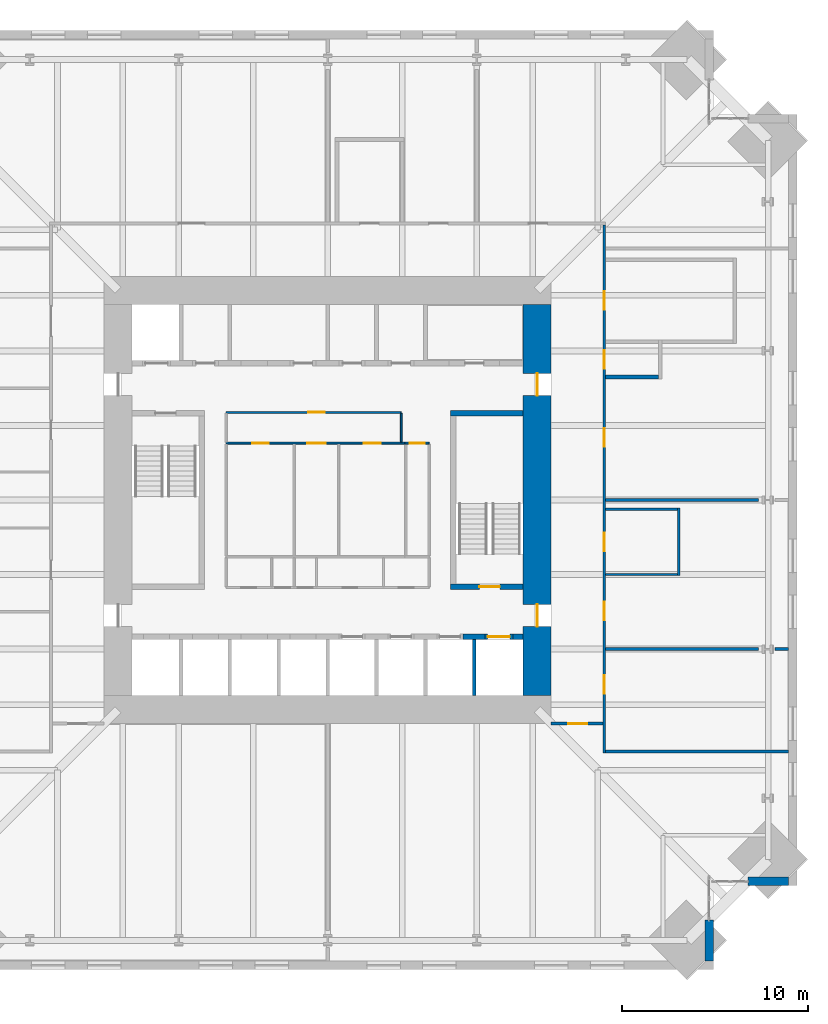
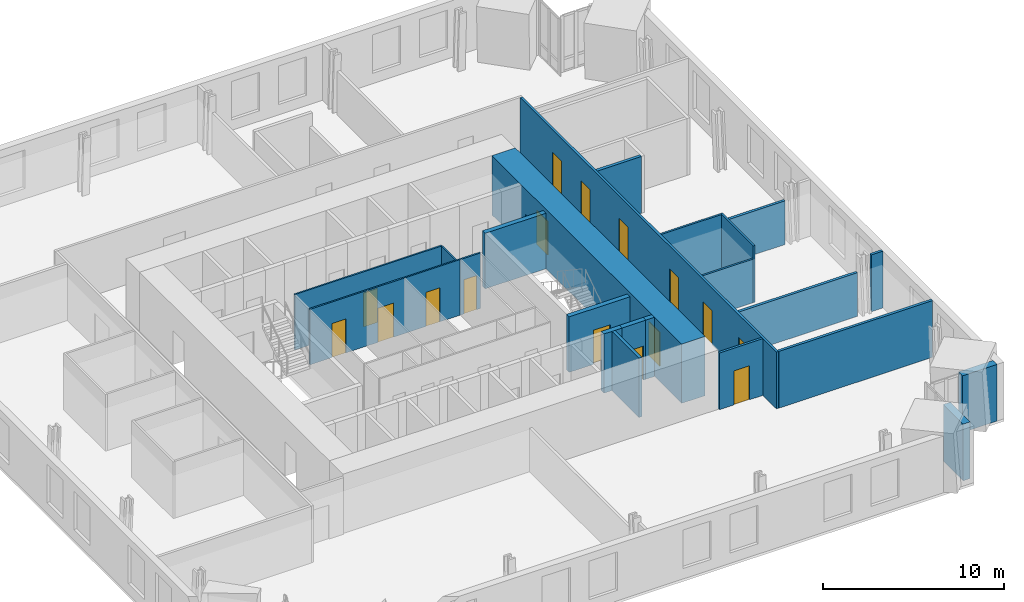
# One storey, part 12 of 15: 23 walls, 16 doors, 16 openings.
"""IFC4 building model written with IfcOpenShell, lengths in metres."""

from ifc_helpers import new_model, si_unit, direction, frame, frame_2d, origin, place, context, subcontext, project, spatial, rectangle, extrude, material, layer, layer_set, type_object, element, fill, save


model = new_model("IFC4")

# Units and contexts
model_context = context("Model", 3, precision=1e-05, world=origin(), true_north=direction((0.0, 1.0)))
body_context = subcontext(model_context, "Body", "Model", "MODEL_VIEW")
ifc_project = project(units=[si_unit("LENGTHUNIT", "METRE"), si_unit("AREAUNIT", "SQUARE_METRE"), si_unit("VOLUMEUNIT", "CUBIC_METRE"), si_unit("PLANEANGLEUNIT", "RADIAN"), si_unit("MASSUNIT", "GRAM", prefix="KILO")], contexts=[model_context])

# Site, building, storey
site_placement = place(None, origin())
site = spatial("IfcSite", under=ifc_project, at=site_placement, CompositionType="ELEMENT")
building_placement = place(site_placement, origin())
building = spatial("IfcBuilding", under=site, at=building_placement, Name="Peilmerk Tower", CompositionType="ELEMENT")
storey_placement = place(building_placement, frame((0.0, 0.0, 179.800048828125)))
storey = spatial("IfcBuildingStorey", under=building, at=storey_placement, Name="L38", CompositionType="ELEMENT", Elevation=179.800048828125)

# Walls
ifc_material_1 = material(Name="Precast concrete C45/55, board-marked finish", Category="concrete")
ifc_layer_1 = layer(ifc_material_1, 0.449951171875)
ifc_layer_set_1 = layer_set([ifc_layer_1], Name="Precast concrete C45/55, board-marked finish")
wall_type_1 = type_object("IfcWallType", Name="EW1 450 precast concrete facade wall, board-marked", PredefinedType="SOLIDWALL", material=ifc_layer_set_1)
for number, where, z_axis, x_axis, name in (
    (1, (20.47509765625, -22.5537109375, 0.0), (0.0, 0.0, 1.0), (0.0, -1.0, 0.0), "Facade wall SEA L38"),
    (2, (22.5537109375, -20.47509765625, 0.0), (0.0, 0.0, 1.0), (1.0, 0.0, 0.0), "Facade wall SEB L38"),
):
    element("IfcWall", number, at=place(storey_placement, frame(where, z_axis=z_axis, x_axis=x_axis)), inside=storey, type_object=wall_type_1, Name=name, PredefinedType="SOLIDWALL", context=body_context, shape_type="SweptSolid", body=[
        extrude(rectangle(XDim=2.1962890625, YDim=0.449951171875, at=frame_2d((1.09814453125, 0.0))), origin(), (0.0, 0.0, 1.0), 3.829833984375),
    ])

# Wall, openings, doors
ifc_material_2 = material(Name="Calcium silicate block", Category="masonry")
ifc_layer_2 = layer(ifc_material_2, 0.14990234375)
ifc_layer_set_2 = layer_set([ifc_layer_2], Name="Calcium silicate block")
wall_type_2 = type_object("IfcWallType", Name="IW1 150 corridor partition, EI 60", PredefinedType="PARTITIONING", material=ifc_layer_set_2)
wall_1_placement = place(storey_placement, frame((14.85009765625, -13.574951171875, 0.0), z_axis=(0.0, 0.0, 1.0), x_axis=(0.0, 1.0, 0.0)))
wall_1 = element("IfcWall", 3, at=wall_1_placement, inside=storey, type_object=wall_type_2, Name="Corridor wall E L38", PredefinedType="PARTITIONING", context=body_context, shape_type="SweptSolid", body=[
    extrude(rectangle(XDim=28.349853515625, YDim=0.14990234375, at=frame_2d((14.1748046875, 0.0))), origin(), (0.0, 0.0, 1.0), 3.829833984375),
])
opening_1_placement = place(wall_1_placement, frame((3.175048828125, 0.0, 0.0)))
opening_1 = element("IfcOpeningElement", 4, at=opening_1_placement, cuts=wall_1, Name="Opening D1", PredefinedType="OPENING", context=body_context, shape_type="SweptSolid", body=[
    extrude(rectangle(XDim=1.0, YDim=2.300048828125, at=frame_2d((0.5, 1.14990234375))), frame((0.0, 0.0849609375, 0.0), z_axis=(0.0, -1.0, 0.0), x_axis=(1.0, 0.0, 0.0)), (0.0, 0.0, 1.0), 0.169921875),
])
opening_2_placement = place(wall_1_placement, frame((7.125, 0.0, 0.0)))
opening_2 = element("IfcOpeningElement", 5, at=opening_2_placement, cuts=wall_1, Name="Opening D1", PredefinedType="OPENING", context=body_context, shape_type="SweptSolid", body=[
    extrude(rectangle(XDim=1.0, YDim=2.300048828125, at=frame_2d((0.5, 1.14990234375))), frame((0.0, 0.0849609375, 0.0), z_axis=(0.0, -1.0, 0.0), x_axis=(1.0, 0.0, 0.0)), (0.0, 0.0, 1.0), 0.169921875),
])
opening_3_placement = place(wall_1_placement, frame((16.425048828125, 0.0, 0.0)))
opening_3 = element("IfcOpeningElement", 6, at=opening_3_placement, cuts=wall_1, Name="Opening D1", PredefinedType="OPENING", context=body_context, shape_type="SweptSolid", body=[
    extrude(rectangle(XDim=1.0, YDim=2.300048828125, at=frame_2d((0.5, 1.14990234375))), frame((0.0, 0.0849609375, 0.0), z_axis=(0.0, -1.0, 0.0), x_axis=(1.0, 0.0, 0.0)), (0.0, 0.0, 1.0), 0.169921875),
])
opening_4_placement = place(wall_1_placement, frame((10.824951171875, 0.0, 0.0)))
opening_4 = element("IfcOpeningElement", 7, at=opening_4_placement, cuts=wall_1, Name="Opening D1", PredefinedType="OPENING", context=body_context, shape_type="SweptSolid", body=[
    extrude(rectangle(XDim=1.0, YDim=2.300048828125, at=frame_2d((0.5, 1.14990234375))), frame((0.0, 0.0849609375, 0.0), z_axis=(0.0, -1.0, 0.0), x_axis=(1.0, 0.0, 0.0)), (0.0, 0.0, 1.0), 0.169921875),
])
opening_5_placement = place(wall_1_placement, frame((20.625, 0.0, 0.0)))
opening_5 = element("IfcOpeningElement", 8, at=opening_5_placement, cuts=wall_1, Name="Opening D1", PredefinedType="OPENING", context=body_context, shape_type="SweptSolid", body=[
    extrude(rectangle(XDim=1.0, YDim=2.300048828125, at=frame_2d((0.5, 1.14990234375))), frame((0.0, 0.0849609375, 0.0), z_axis=(0.0, -1.0, 0.0), x_axis=(1.0, 0.0, 0.0)), (0.0, 0.0, 1.0), 0.169921875),
])
opening_6_placement = place(wall_1_placement, frame((23.77490234375, 0.0, 0.0)))
opening_6 = element("IfcOpeningElement", 9, at=opening_6_placement, cuts=wall_1, Name="Opening D1", PredefinedType="OPENING", context=body_context, shape_type="SweptSolid", body=[
    extrude(rectangle(XDim=1.0, YDim=2.300048828125, at=frame_2d((0.5, 1.14990234375))), frame((0.0, 0.0849609375, 0.0), z_axis=(0.0, -1.0, 0.0), x_axis=(1.0, 0.0, 0.0)), (0.0, 0.0, 1.0), 0.169921875),
])
ifc_material_3 = material(Name="Timber door in steel frame", Category="steel")
door_type_1 = type_object("IfcDoorType", Name="D1 1000x2300 room door, EI2 30", OperationType="SINGLE_SWING_LEFT", PredefinedType="DOOR", material=ifc_material_3)
door_1_placement = place(opening_1_placement, frame((1.0, 0.0, 0.0), z_axis=(0.0, 0.0, 1.0), x_axis=(-1.0, 0.0, 0.0)))
door_1 = element("IfcDoor", 10, at=door_1_placement, inside=storey, type_object=door_type_1, Name="Door Wellness room L38", OperationType="SINGLE_SWING_LEFT", OverallHeight=2.300048828125, OverallWidth=1.0, PredefinedType="DOOR", context=body_context, shape_type="SweptSolid", body=[
    extrude(rectangle(XDim=1.0, YDim=2.300048828125, at=frame_2d((0.5, 1.14990234375))), frame((0.0, 0.02490234375, 0.0), z_axis=(0.0, -1.0, 0.0), x_axis=(1.0, 0.0, 0.0)), (0.0, 0.0, 1.0), 0.050048828125),
])
fill(opening_1, door_1)
door_2_placement = place(opening_2_placement, frame((1.0, 0.0, 0.0), z_axis=(0.0, 0.0, 1.0), x_axis=(-1.0, 0.0, 0.0)))
door_2 = element("IfcDoor", 11, at=door_2_placement, inside=storey, type_object=door_type_1, Name="Door Quiet room L38", OperationType="SINGLE_SWING_LEFT", OverallHeight=2.300048828125, OverallWidth=1.0, PredefinedType="DOOR", context=body_context, shape_type="SweptSolid", body=[
    extrude(rectangle(XDim=1.0, YDim=2.300048828125, at=frame_2d((0.5, 1.14990234375))), frame((0.0, 0.02490234375, 0.0), z_axis=(0.0, -1.0, 0.0), x_axis=(1.0, 0.0, 0.0)), (0.0, 0.0, 1.0), 0.050048828125),
])
fill(opening_2, door_2)
door_3_placement = place(opening_3_placement, frame((1.0, 0.0, 0.0), z_axis=(0.0, 0.0, 1.0), x_axis=(-1.0, 0.0, 0.0)))
door_3 = element("IfcDoor", 12, at=door_3_placement, inside=storey, type_object=door_type_1, Name="Door Reading room L38", OperationType="SINGLE_SWING_LEFT", OverallHeight=2.300048828125, OverallWidth=1.0, PredefinedType="DOOR", context=body_context, shape_type="SweptSolid", body=[
    extrude(rectangle(XDim=1.0, YDim=2.300048828125, at=frame_2d((0.5, 1.14990234375))), frame((0.0, 0.02490234375, 0.0), z_axis=(0.0, -1.0, 0.0), x_axis=(1.0, 0.0, 0.0)), (0.0, 0.0, 1.0), 0.050048828125),
])
fill(opening_3, door_3)
door_4_placement = place(opening_4_placement, frame((1.0, 0.0, 0.0), z_axis=(0.0, 0.0, 1.0), x_axis=(-1.0, 0.0, 0.0)))
door_4 = element("IfcDoor", 13, at=door_4_placement, inside=storey, type_object=door_type_1, Name="Door Pantry L38", OperationType="SINGLE_SWING_LEFT", OverallHeight=2.300048828125, OverallWidth=1.0, PredefinedType="DOOR", context=body_context, shape_type="SweptSolid", body=[
    extrude(rectangle(XDim=1.0, YDim=2.300048828125, at=frame_2d((0.5, 1.14990234375))), frame((0.0, 0.02490234375, 0.0), z_axis=(0.0, -1.0, 0.0), x_axis=(1.0, 0.0, 0.0)), (0.0, 0.0, 1.0), 0.050048828125),
])
fill(opening_4, door_4)
door_5_placement = place(opening_5_placement, frame((1.0, 0.0, 0.0), z_axis=(0.0, 0.0, 1.0), x_axis=(-1.0, 0.0, 0.0)))
door_5 = element("IfcDoor", 14, at=door_5_placement, inside=storey, type_object=door_type_1, Name="Door Ablution room L38", OperationType="SINGLE_SWING_LEFT", OverallHeight=2.300048828125, OverallWidth=1.0, PredefinedType="DOOR", context=body_context, shape_type="SweptSolid", body=[
    extrude(rectangle(XDim=1.0, YDim=2.300048828125, at=frame_2d((0.5, 1.14990234375))), frame((0.0, 0.02490234375, 0.0), z_axis=(0.0, -1.0, 0.0), x_axis=(1.0, 0.0, 0.0)), (0.0, 0.0, 1.0), 0.050048828125),
])
fill(opening_5, door_5)
door_6_placement = place(opening_6_placement, frame((1.0, 0.0, 0.0), z_axis=(0.0, 0.0, 1.0), x_axis=(-1.0, 0.0, 0.0)))
door_6 = element("IfcDoor", 15, at=door_6_placement, inside=storey, type_object=door_type_1, Name="Door Prayer room L38", OperationType="SINGLE_SWING_LEFT", OverallHeight=2.300048828125, OverallWidth=1.0, PredefinedType="DOOR", context=body_context, shape_type="SweptSolid", body=[
    extrude(rectangle(XDim=1.0, YDim=2.300048828125, at=frame_2d((0.5, 1.14990234375))), frame((0.0, 0.02490234375, 0.0), z_axis=(0.0, -1.0, 0.0), x_axis=(1.0, 0.0, 0.0)), (0.0, 0.0, 1.0), 0.050048828125),
])
fill(opening_6, door_6)

# Wall, opening, door
wall_2_placement = place(storey_placement, frame((14.77490234375, -12.0, 0.0), z_axis=(0.0, 0.0, 1.0), x_axis=(-1.0, 0.0, 0.0)))
wall_2 = element("IfcWall", 16, at=wall_2_placement, inside=storey, type_object=wall_type_2, Name="Corridor wall SE L38", PredefinedType="PARTITIONING", context=body_context, shape_type="SweptSolid", body=[
    extrude(rectangle(XDim=2.77490234375, YDim=0.14990234375, at=frame_2d((1.387451171875, 0.0))), origin(), (0.0, 0.0, 1.0), 3.829833984375),
])
opening_7_placement = place(wall_2_placement, frame((0.85009765625, 0.0, 0.0)))
opening_7 = element("IfcOpeningElement", 17, at=opening_7_placement, cuts=wall_2, Name="Opening D1", PredefinedType="OPENING", context=body_context, shape_type="SweptSolid", body=[
    extrude(rectangle(XDim=1.0, YDim=2.300048828125, at=frame_2d((0.5, 1.14990234375))), frame((0.0, 0.0849609375, 0.0), z_axis=(0.0, -1.0, 0.0), x_axis=(1.0, 0.0, 0.0)), (0.0, 0.0, 1.0), 0.169921875),
])
door_7_placement = place(opening_7_placement, origin())
door_7 = element("IfcDoor", 18, at=door_7_placement, inside=storey, type_object=door_type_1, Name="Door Lounge L38", OperationType="SINGLE_SWING_LEFT", OverallHeight=2.300048828125, OverallWidth=1.0, PredefinedType="DOOR", context=body_context, shape_type="SweptSolid", body=[
    extrude(rectangle(XDim=1.0, YDim=2.300048828125, at=frame_2d((0.5, 1.14990234375))), frame((0.0, 0.02490234375, 0.0), z_axis=(0.0, -1.0, 0.0), x_axis=(1.0, 0.0, 0.0)), (0.0, 0.0, 1.0), 0.050048828125),
])
fill(opening_7, door_7)

# Walls
ifc_layer_3 = layer(ifc_material_2, 0.199951171875)
ifc_layer_set_3 = layer_set([ifc_layer_3], Name="Calcium silicate block")
wall_type_3 = type_object("IfcWallType", Name="IW2 200 room separating wall, EI 120", PredefinedType="PARTITIONING", material=ifc_layer_set_3)
wall_3_placement = place(storey_placement, frame((14.925048828125, 6.60009765625, 0.0), z_axis=(0.0, 0.0, 1.0), x_axis=(1.0, 0.0, 0.0)))
element("IfcWall", 19, at=wall_3_placement, inside=storey, type_object=wall_type_3, Name="Room separating wall Ablution room L38", PredefinedType="PARTITIONING", context=body_context, shape_type="SweptSolid", body=[
    extrude(rectangle(XDim=2.824951171875, YDim=0.199951171875, at=frame_2d((1.41259765625, 0.0))), origin(), (0.0, 0.0, 1.0), 3.829833984375),
])
ifc_material_4 = material(Name="Concrete C35/45", Category="concrete")
ifc_layer_4 = layer(ifc_material_4, 0.300048828125)
ifc_layer_set_4 = layer_set([ifc_layer_4], Name="Concrete C35/45")
wall_type_4 = type_object("IfcWallType", Name="IW3 300 concrete stair enclosure wall, EI 120", PredefinedType="SOLIDWALL", material=ifc_layer_set_4)
wall_4_placement = place(storey_placement, frame((6.60009765625, 4.64990234375, 0.0), z_axis=(0.0, 0.0, 1.0), x_axis=(1.0, 0.0, 0.0)))
element("IfcWall", 20, at=wall_4_placement, inside=storey, type_object=wall_type_4, Name="Stair 2 enclosure L38", PredefinedType="SOLIDWALL", context=body_context, shape_type="SweptSolid", body=[
    extrude(rectangle(XDim=3.89990234375, YDim=0.300048828125, at=frame_2d((1.949951171875, 0.0))), origin(), (0.0, 0.0, 1.0), 3.75),
])

# Wall, opening, door
wall_5_placement = place(storey_placement, frame((10.5, -4.64990234375, 0.0), z_axis=(0.0, 0.0, 1.0), x_axis=(-1.0, 0.0, 0.0)))
wall_5 = element("IfcWall", 21, at=wall_5_placement, inside=storey, type_object=wall_type_4, Name="Stair 2 enclosure L38", PredefinedType="SOLIDWALL", context=body_context, shape_type="SweptSolid", body=[
    extrude(rectangle(XDim=3.89990234375, YDim=0.300048828125, at=frame_2d((1.949951171875, 0.0))), origin(), (0.0, 0.0, 1.0), 3.75),
])
opening_8_placement = place(wall_5_placement, frame((1.25, 0.0, 0.0)))
opening_8 = element("IfcOpeningElement", 22, at=opening_8_placement, cuts=wall_5, Name="Opening D4", PredefinedType="OPENING", context=body_context, shape_type="SweptSolid", body=[
    extrude(rectangle(XDim=1.10009765625, YDim=2.300048828125, at=frame_2d((0.550048828125, 1.14990234375))), frame((0.0, 0.159912109375, 0.0), z_axis=(0.0, -1.0, 0.0), x_axis=(1.0, 0.0, 0.0)), (0.0, 0.0, 1.0), 0.320068359375),
])
ifc_material_5 = material(Name="Steel door in steel frame", Category="steel")
door_type_2 = type_object("IfcDoorType", Name="D4 1100x2300 stair door, EI2 60", OperationType="SINGLE_SWING_RIGHT", PredefinedType="DOOR", material=ifc_material_5)
door_8_placement = place(opening_8_placement, frame((1.10009765625, 0.0, 0.0), z_axis=(0.0, 0.0, 1.0), x_axis=(-1.0, 0.0, 0.0)))
door_8 = element("IfcDoor", 23, at=door_8_placement, inside=storey, type_object=door_type_2, Name="Stair 2 door L38", OperationType="SINGLE_SWING_RIGHT", OverallHeight=2.300048828125, OverallWidth=1.10009765625, PredefinedType="DOOR", context=body_context, shape_type="SweptSolid", body=[
    extrude(rectangle(XDim=1.10009765625, YDim=2.300048828125, at=frame_2d((0.550048828125, 1.14990234375))), frame((0.0, 0.02490234375, 0.0), z_axis=(0.0, -1.0, 0.0), x_axis=(1.0, 0.0, 0.0)), (0.0, 0.0, 1.0), 0.050048828125),
])
fill(opening_8, door_8)

# Wall, openings, doors
ifc_material_6 = material(Name="Plasterboard on steel studs", Category="steel")
ifc_layer_5 = layer(ifc_material_6, 0.10009765625)
ifc_layer_set_5 = layer_set([ifc_layer_5], Name="Plasterboard on steel studs")
wall_type_5 = type_object("IfcWallType", Name="IW4 100 WC partition", PredefinedType="PARTITIONING", material=ifc_layer_set_5)
wall_6_placement = place(storey_placement, frame((-5.449951171875, 3.050048828125, 0.0), z_axis=(0.0, 0.0, 1.0), x_axis=(1.0, 0.0, 0.0)))
wall_6 = element("IfcWall", 24, at=wall_6_placement, inside=storey, type_object=wall_type_5, Name="WC wall L38", PredefinedType="PARTITIONING", context=body_context, shape_type="SweptSolid", body=[
    extrude(rectangle(XDim=9.599853515625, YDim=0.10009765625, at=frame_2d((4.7998046875, 0.0))), origin(), (0.0, 0.0, 1.0), 3.75),
])
opening_9_placement = place(wall_6_placement, frame((1.39990234375, 0.0, 0.0)))
opening_9 = element("IfcOpeningElement", 25, at=opening_9_placement, cuts=wall_6, Name="Opening D5", PredefinedType="OPENING", context=body_context, shape_type="SweptSolid", body=[
    extrude(rectangle(XDim=0.89990234375, YDim=2.300048828125, at=frame_2d((0.449951171875, 1.14990234375))), frame((0.0, 0.06005859375, 0.0), z_axis=(0.0, -1.0, 0.0), x_axis=(1.0, 0.0, 0.0)), (0.0, 0.0, 1.0), 0.1201171875),
])
opening_10_placement = place(wall_6_placement, frame((4.35009765625, 0.0, 0.0)))
opening_10 = element("IfcOpeningElement", 26, at=opening_10_placement, cuts=wall_6, Name="Opening D6", PredefinedType="OPENING", context=body_context, shape_type="SweptSolid", body=[
    extrude(rectangle(XDim=1.0, YDim=2.300048828125, at=frame_2d((0.5, 1.14990234375))), frame((0.0, 0.06005859375, 0.0), z_axis=(0.0, -1.0, 0.0), x_axis=(1.0, 0.0, 0.0)), (0.0, 0.0, 1.0), 0.1201171875),
])
opening_11_placement = place(wall_6_placement, frame((7.39990234375, 0.0, 0.0)))
opening_11 = element("IfcOpeningElement", 27, at=opening_11_placement, cuts=wall_6, Name="Opening D5", PredefinedType="OPENING", context=body_context, shape_type="SweptSolid", body=[
    extrude(rectangle(XDim=0.89990234375, YDim=2.300048828125, at=frame_2d((0.449951171875, 1.14990234375))), frame((0.0, 0.06005859375, 0.0), z_axis=(0.0, -1.0, 0.0), x_axis=(1.0, 0.0, 0.0)), (0.0, 0.0, 1.0), 0.1201171875),
])
door_type_3 = type_object("IfcDoorType", Name="D5 900x2300 WC door", OperationType="SINGLE_SWING_LEFT", PredefinedType="DOOR", material=ifc_material_3)
door_9_placement = place(opening_9_placement, frame((0.89990234375, 0.0, 0.0), z_axis=(0.0, 0.0, 1.0), x_axis=(-1.0, 0.0, 0.0)))
door_9 = element("IfcDoor", 28, at=door_9_placement, inside=storey, type_object=door_type_3, Name="Female toilets door L38", OperationType="SINGLE_SWING_LEFT", OverallHeight=2.300048828125, OverallWidth=0.89990234375, PredefinedType="DOOR", context=body_context, shape_type="SweptSolid", body=[
    extrude(rectangle(XDim=0.89990234375, YDim=2.300048828125, at=frame_2d((0.449951171875, 1.14990234375))), frame((0.0, 0.02490234375, 0.0), z_axis=(0.0, -1.0, 0.0), x_axis=(1.0, 0.0, 0.0)), (0.0, 0.0, 1.0), 0.050048828125),
])
fill(opening_9, door_9)
door_10_placement = place(opening_11_placement, frame((0.89990234375, 0.0, 0.0), z_axis=(0.0, 0.0, 1.0), x_axis=(-1.0, 0.0, 0.0)))
door_10 = element("IfcDoor", 29, at=door_10_placement, inside=storey, type_object=door_type_3, Name="Male toilets door L38", OperationType="SINGLE_SWING_LEFT", OverallHeight=2.300048828125, OverallWidth=0.89990234375, PredefinedType="DOOR", context=body_context, shape_type="SweptSolid", body=[
    extrude(rectangle(XDim=0.89990234375, YDim=2.300048828125, at=frame_2d((0.449951171875, 1.14990234375))), frame((0.0, 0.02490234375, 0.0), z_axis=(0.0, -1.0, 0.0), x_axis=(1.0, 0.0, 0.0)), (0.0, 0.0, 1.0), 0.050048828125),
])
fill(opening_11, door_10)
door_type_4 = type_object("IfcDoorType", Name="D6 1000x2300 accessible WC door", OperationType="SLIDING_TO_LEFT", PredefinedType="DOOR", material=ifc_material_3)
door_11_placement = place(opening_10_placement, frame((1.0, 0.0, 0.0), z_axis=(0.0, 0.0, 1.0), x_axis=(-1.0, 0.0, 0.0)))
door_11 = element("IfcDoor", 30, at=door_11_placement, inside=storey, type_object=door_type_4, Name="Accessible WC door L38", OperationType="SLIDING_TO_LEFT", OverallHeight=2.300048828125, OverallWidth=1.0, PredefinedType="DOOR", context=body_context, shape_type="SweptSolid", body=[
    extrude(rectangle(XDim=1.0, YDim=2.300048828125, at=frame_2d((0.5, 1.14990234375))), frame((0.0, 0.02490234375, 0.0), z_axis=(0.0, -1.0, 0.0), x_axis=(1.0, 0.0, 0.0)), (0.0, 0.0, 1.0), 0.050048828125),
])
fill(opening_10, door_11)

# Wall, opening, door
ifc_material_7 = material(Name="Calcium silicate board on steel studs", Category="steel")
ifc_layer_6 = layer(ifc_material_7, 0.10009765625)
ifc_layer_set_6 = layer_set([ifc_layer_6], Name="Calcium silicate board on steel studs")
wall_type_6 = type_object("IfcWallType", Name="IW5 100 riser enclosure wall, EI 60", PredefinedType="PARTITIONING", material=ifc_layer_set_6)
wall_7_placement = place(storey_placement, frame((4.14990234375, 3.050048828125, 0.0), z_axis=(0.0, 0.0, 1.0), x_axis=(1.0, 0.0, 0.0)))
wall_7 = element("IfcWall", 31, at=wall_7_placement, inside=storey, type_object=wall_type_6, Name="Riser wall L38", PredefinedType="PARTITIONING", context=body_context, shape_type="SweptSolid", body=[
    extrude(rectangle(XDim=1.300048828125, YDim=0.10009765625, at=frame_2d((0.64990234375, 0.0))), origin(), (0.0, 0.0, 1.0), 3.75),
])
opening_12_placement = place(wall_7_placement, frame((0.25, 0.0, 0.0)))
opening_12 = element("IfcOpeningElement", 32, at=opening_12_placement, cuts=wall_7, Name="Opening D7", PredefinedType="OPENING", context=body_context, shape_type="SweptSolid", body=[
    extrude(rectangle(XDim=0.800048828125, YDim=2.300048828125, at=frame_2d((0.39990234375, 1.14990234375))), frame((0.0, 0.06005859375, 0.0), z_axis=(0.0, -1.0, 0.0), x_axis=(1.0, 0.0, 0.0)), (0.0, 0.0, 1.0), 0.1201171875),
])
door_type_5 = type_object("IfcDoorType", Name="D7 800x2300 riser access door, EI2 60", OperationType="SINGLE_SWING_RIGHT", PredefinedType="DOOR", material=ifc_material_5)
door_12_placement = place(opening_12_placement, frame((0.800048828125, 0.0, 0.0), z_axis=(0.0, 0.0, 1.0), x_axis=(-1.0, 0.0, 0.0)))
door_12 = element("IfcDoor", 33, at=door_12_placement, inside=storey, type_object=door_type_5, Name="Plumbing riser door L38", OperationType="SINGLE_SWING_RIGHT", OverallHeight=2.300048828125, OverallWidth=0.800048828125, PredefinedType="DOOR", context=body_context, shape_type="SweptSolid", body=[
    extrude(rectangle(XDim=0.800048828125, YDim=2.300048828125, at=frame_2d((0.39990234375, 1.14990234375))), frame((0.0, 0.02490234375, 0.0), z_axis=(0.0, -1.0, 0.0), x_axis=(1.0, 0.0, 0.0)), (0.0, 0.0, 1.0), 0.050048828125),
])
fill(opening_12, door_12)

# Walls
ifc_material_8 = material(Name="Plasterboard on steel studs, double boarded with mineral wool", Category="steel")
ifc_layer_7 = layer(ifc_material_8, 0.125)
ifc_layer_set_7 = layer_set([ifc_layer_7], Name="Plasterboard on steel studs, double boarded with mineral wool")
wall_type_7 = type_object("IfcWallType", Name="IW7 125 acoustic partition, EI 30", PredefinedType="PARTITIONING", material=ifc_layer_set_7)
wall_8_placement = place(storey_placement, frame((18.85009765625, -4.0625, 0.0), z_axis=(0.0, 0.0, 1.0), x_axis=(0.0, 1.0, 0.0)))
element("IfcWall", 34, at=wall_8_placement, inside=storey, type_object=wall_type_7, Name="Acoustic partition Pantry L38", PredefinedType="PARTITIONING", context=body_context, shape_type="SweptSolid", body=[
    extrude(rectangle(XDim=3.625, YDim=0.125, at=frame_2d((1.8125, 0.0))), origin(), (0.0, 0.0, 1.0), 3.829833984375),
])
wall_9_placement = place(storey_placement, frame((14.925048828125, -4.0, 0.0), z_axis=(0.0, 0.0, 1.0), x_axis=(1.0, 0.0, 0.0)))
element("IfcWall", 35, at=wall_9_placement, inside=storey, type_object=wall_type_7, Name="Acoustic partition Pantry L38", PredefinedType="PARTITIONING", context=body_context, shape_type="SweptSolid", body=[
    extrude(rectangle(XDim=3.862548828125, YDim=0.125, at=frame_2d((1.93115234375, 0.0))), origin(), (0.0, 0.0, 1.0), 2.93994140625),
])
wall_10_placement = place(storey_placement, frame((14.925048828125, -0.5, 0.0), z_axis=(0.0, 0.0, 1.0), x_axis=(1.0, 0.0, 0.0)))
element("IfcWall", 36, at=wall_10_placement, inside=storey, type_object=wall_type_7, Name="Acoustic partition Pantry L38", PredefinedType="PARTITIONING", context=body_context, shape_type="SweptSolid", body=[
    extrude(rectangle(XDim=3.862548828125, YDim=0.125, at=frame_2d((1.93115234375, 0.0))), origin(), (0.0, 0.0, 1.0), 3.829833984375),
])
ifc_layer_8 = layer(ifc_material_2, 0.175048828125)
ifc_layer_set_8 = layer_set([ifc_layer_8], Name="Calcium silicate block")
wall_type_8 = type_object("IfcWallType", Name="IW8 175 tenant separating wall, EI 60", PredefinedType="PARTITIONING", material=ifc_layer_set_8)
wall_11_placement = place(storey_placement, frame((24.75, -13.5, 0.0), z_axis=(0.0, 0.0, 1.0), x_axis=(-1.0, 0.0, 0.0)))
element("IfcWall", 37, at=wall_11_placement, inside=storey, type_object=wall_type_8, Name="Tenant separating wall SE L38", PredefinedType="PARTITIONING", context=body_context, shape_type="SweptSolid", body=[
    extrude(rectangle(XDim=9.824951171875, YDim=0.175048828125, at=frame_2d((4.91259765625, 0.0))), origin(), (0.0, 0.0, 1.0), 3.829833984375),
])
wall_12_placement = place(storey_placement, frame((14.925048828125, -8.0, 0.0), z_axis=(0.0, 0.0, 1.0), x_axis=(1.0, 0.0, 0.0)))
element("IfcWall", 38, at=wall_12_placement, inside=storey, type_object=wall_type_8, Name="Tenant separating wall E1 L38", PredefinedType="PARTITIONING", context=body_context, shape_type="SweptSolid", body=[
    extrude(rectangle(XDim=8.196533203125, YDim=0.175048828125, at=frame_2d((4.09814453125, 0.0))), origin(), (0.0, 0.0, 1.0), 2.93994140625),
])
wall_13_placement = place(storey_placement, frame((24.0107421875, -8.0, 0.0), z_axis=(0.0, 0.0, 1.0), x_axis=(1.0, 0.0, 0.0)))
element("IfcWall", 39, at=wall_13_placement, inside=storey, type_object=wall_type_8, Name="Tenant separating wall E1b L38", PredefinedType="PARTITIONING", context=body_context, shape_type="SweptSolid", body=[
    extrude(rectangle(XDim=0.7392578125, YDim=0.175048828125, at=frame_2d((0.36962890625, 0.0))), origin(), (0.0, 0.0, 1.0), 3.829833984375),
])
wall_14_placement = place(storey_placement, frame((14.925048828125, 0.0, 0.0), z_axis=(0.0, 0.0, 1.0), x_axis=(1.0, 0.0, 0.0)))
element("IfcWall", 40, at=wall_14_placement, inside=storey, type_object=wall_type_8, Name="Tenant separating wall E2 L38", PredefinedType="PARTITIONING", context=body_context, shape_type="SweptSolid", body=[
    extrude(rectangle(XDim=8.196533203125, YDim=0.175048828125, at=frame_2d((4.09814453125, 0.0))), origin(), (0.0, 0.0, 1.0), 2.93994140625),
])

# Wall, opening, door
ifc_material_9 = material(Name="Fire-resisting plasterboard on steel studs", Category="steel")
ifc_layer_9 = layer(ifc_material_9, 0.10009765625)
ifc_layer_set_9 = layer_set([ifc_layer_9], Name="Fire-resisting plasterboard on steel studs")
wall_type_9 = type_object("IfcWallType", Name="IW9 100 WC lobby wall, EI 30", PredefinedType="PARTITIONING", material=ifc_layer_set_9)
wall_15_placement = place(storey_placement, frame((-5.449951171875, 4.699951171875, 0.0), z_axis=(0.0, 0.0, 1.0), x_axis=(1.0, 0.0, 0.0)))
wall_15 = element("IfcWall", 41, at=wall_15_placement, inside=storey, type_object=wall_type_9, Name="WC lobby wall L38", PredefinedType="PARTITIONING", context=body_context, shape_type="SweptSolid", body=[
    extrude(rectangle(XDim=9.39990234375, YDim=0.10009765625, at=frame_2d((4.699951171875, 0.0))), origin(), (0.0, 0.0, 1.0), 3.75),
])
opening_13_placement = place(wall_15_placement, frame((4.39990234375, 0.0, 0.0)))
opening_13 = element("IfcOpeningElement", 42, at=opening_13_placement, cuts=wall_15, Name="Opening D11", PredefinedType="OPENING", context=body_context, shape_type="SweptSolid", body=[
    extrude(rectangle(XDim=0.89990234375, YDim=2.300048828125, at=frame_2d((0.449951171875, 1.14990234375))), frame((0.0, 0.06005859375, 0.0), z_axis=(0.0, -1.0, 0.0), x_axis=(1.0, 0.0, 0.0)), (0.0, 0.0, 1.0), 0.1201171875),
])
door_type_6 = type_object("IfcDoorType", Name="D11 900x2300 WC lobby door, EI2 30", OperationType="SINGLE_SWING_LEFT", PredefinedType="DOOR", material=ifc_material_3)
door_13_placement = place(opening_13_placement, frame((0.89990234375, 0.0, 0.0), z_axis=(0.0, 0.0, 1.0), x_axis=(-1.0, 0.0, 0.0)))
door_13 = element("IfcDoor", 43, at=door_13_placement, inside=storey, type_object=door_type_6, Name="WC lobby door L38", OperationType="SINGLE_SWING_LEFT", OverallHeight=2.300048828125, OverallWidth=0.89990234375, PredefinedType="DOOR", context=body_context, shape_type="SweptSolid", body=[
    extrude(rectangle(XDim=0.89990234375, YDim=2.300048828125, at=frame_2d((0.449951171875, 1.14990234375))), frame((0.0, 0.02490234375, 0.0), z_axis=(0.0, -1.0, 0.0), x_axis=(1.0, 0.0, 0.0)), (0.0, 0.0, 1.0), 0.050048828125),
])
fill(opening_13, door_13)

# Walls
wall_16_placement = place(storey_placement, frame((3.949951171875, 3.10009765625, 0.0), z_axis=(0.0, 0.0, 1.0), x_axis=(0.0, 1.0, 0.0)))
element("IfcWall", 44, at=wall_16_placement, inside=storey, type_object=wall_type_9, Name="WC lobby wall L38", PredefinedType="PARTITIONING", context=body_context, shape_type="SweptSolid", body=[
    extrude(rectangle(XDim=1.5498046875, YDim=0.10009765625, at=frame_2d((0.77490234375, 0.0))), origin(), (0.0, 0.0, 1.0), 3.75),
])
ifc_layer_10 = layer(ifc_material_2, 0.199951171875)
ifc_layer_set_10 = layer_set([ifc_layer_10], Name="Calcium silicate block")
wall_type_10 = type_object("IfcWallType", Name="SH1 200 shaft dividing wall, EI 120", PredefinedType="PARTITIONING", material=ifc_layer_set_10)
wall_17_placement = place(storey_placement, frame((7.875, -10.5, 0.0), z_axis=(0.0, 0.0, 1.0), x_axis=(0.0, 1.0, 0.0)))
element("IfcWall", 45, at=wall_17_placement, inside=storey, type_object=wall_type_10, Name="Shaft wall S B1 L38", PredefinedType="PARTITIONING", context=body_context, shape_type="SweptSolid", body=[
    extrude(rectangle(XDim=3.0, YDim=0.199951171875, at=frame_2d((1.5, 0.0))), origin(), (0.0, 0.0, 1.0), 4.0),
])

# Wall, opening, door
ifc_layer_11 = layer(ifc_material_2, 0.300048828125)
ifc_layer_set_11 = layer_set([ifc_layer_11], Name="Calcium silicate block")
wall_type_11 = type_object("IfcWallType", Name="SH2 300 lift landing door panel, EI 120", PredefinedType="PARTITIONING", material=ifc_layer_set_11)
wall_18_placement = place(storey_placement, frame((8.4375, -7.35009765625, 0.0), z_axis=(0.0, 0.0, 1.0), x_axis=(1.0, 0.0, 0.0)))
wall_18 = element("IfcWall", 46, at=wall_18_placement, inside=storey, type_object=wall_type_11, Name="Lift door panel S FL2 L38", PredefinedType="PARTITIONING", context=body_context, shape_type="SweptSolid", body=[
    extrude(rectangle(XDim=1.5, YDim=0.300048828125, at=frame_2d((0.75, 0.0))), origin(), (0.0, 0.0, 1.0), 4.0),
])
opening_14_placement = place(wall_18_placement, frame((0.14990234375, 0.0, 0.0)))
opening_14 = element("IfcOpeningElement", 47, at=opening_14_placement, cuts=wall_18, Name="Opening LD2", PredefinedType="OPENING", context=body_context, shape_type="SweptSolid", body=[
    extrude(rectangle(XDim=1.199951171875, YDim=2.300048828125, at=frame_2d((0.60009765625, 1.14990234375))), frame((0.0, 0.159912109375, 0.0), z_axis=(0.0, -1.0, 0.0), x_axis=(1.0, 0.0, 0.0)), (0.0, 0.0, 1.0), 0.320068359375),
])
ifc_material_10 = material(Name="Stainless steel landing door", Category="steel")
door_type_7 = type_object("IfcDoorType", Name="LD2 1200x2300 lift landing door, sliding, EI2 60", OperationType="SLIDING_TO_LEFT", PredefinedType="DOOR", material=ifc_material_10)
door_14_placement = place(opening_14_placement, origin())
door_14 = element("IfcDoor", 48, at=door_14_placement, inside=storey, type_object=door_type_7, Name="Lift landing door FL2 L38", OperationType="SLIDING_TO_LEFT", OverallHeight=2.300048828125, OverallWidth=1.199951171875, PredefinedType="DOOR", context=body_context, shape_type="SweptSolid", body=[
    extrude(rectangle(XDim=1.199951171875, YDim=2.300048828125, at=frame_2d((0.60009765625, 1.14990234375))), frame((0.0, 0.02490234375, 0.0), z_axis=(0.0, -1.0, 0.0), x_axis=(1.0, 0.0, 0.0)), (0.0, 0.0, 1.0), 0.050048828125),
])
fill(opening_14, door_14)

# Wall, openings, doors
ifc_material_11 = material(Name="Concrete C55/67", Category="concrete")
ifc_layer_12 = layer(ifc_material_11, 1.5)
ifc_layer_set_12 = layer_set([ifc_layer_12], Name="Concrete C55/67")
wall_type_12 = type_object("IfcWallType", Name="SW1 1500 core wall", PredefinedType="SHEAR", material=ifc_layer_set_12)
wall_19_placement = place(storey_placement, frame((11.25, 10.5, 0.0), z_axis=(0.0, 0.0, 1.0), x_axis=(0.0, -1.0, 0.0)))
wall_19 = element("IfcWall", 49, at=wall_19_placement, inside=storey, type_object=wall_type_12, Name="Core wall E L38", PredefinedType="SHEAR", context=body_context, shape_type="SweptSolid", body=[
    extrude(rectangle(XDim=21.0, YDim=1.5, at=frame_2d((10.5, 0.0))), origin(), (0.0, 0.0, 1.0), 4.0),
])
opening_15_placement = place(wall_19_placement, frame((3.699951171875, 0.0, 0.0)))
opening_15 = element("IfcOpeningElement", 50, at=opening_15_placement, cuts=wall_19, Name="Opening D3", PredefinedType="OPENING", context=body_context, shape_type="SweptSolid", body=[
    extrude(rectangle(XDim=1.199951171875, YDim=2.300048828125, at=frame_2d((0.60009765625, 1.14990234375))), frame((0.0, 0.760009765625, 0.0), z_axis=(0.0, -1.0, 0.0), x_axis=(1.0, 0.0, 0.0)), (0.0, 0.0, 1.0), 1.52001953125),
])
opening_16_placement = place(wall_19_placement, frame((16.10009765625, 0.0, 0.0)))
opening_16 = element("IfcOpeningElement", 51, at=opening_16_placement, cuts=wall_19, Name="Opening D3", PredefinedType="OPENING", context=body_context, shape_type="SweptSolid", body=[
    extrude(rectangle(XDim=1.199951171875, YDim=2.300048828125, at=frame_2d((0.60009765625, 1.14990234375))), frame((0.0, 0.760009765625, 0.0), z_axis=(0.0, -1.0, 0.0), x_axis=(1.0, 0.0, 0.0)), (0.0, 0.0, 1.0), 1.52001953125),
])
door_type_8 = type_object("IfcDoorType", Name="D3 1200x2300 core door, EI2 60", OperationType="SINGLE_SWING_LEFT", PredefinedType="DOOR", material=ifc_material_5)
door_15_placement = place(opening_15_placement, frame((1.199951171875, 0.0, 0.0), z_axis=(0.0, 0.0, 1.0), x_axis=(-1.0, 0.0, 0.0)))
door_15 = element("IfcDoor", 52, at=door_15_placement, inside=storey, type_object=door_type_8, Name="Core door L38", OperationType="SINGLE_SWING_LEFT", OverallHeight=2.300048828125, OverallWidth=1.199951171875, PredefinedType="DOOR", context=body_context, shape_type="SweptSolid", body=[
    extrude(rectangle(XDim=1.199951171875, YDim=2.300048828125, at=frame_2d((0.60009765625, 1.14990234375))), frame((0.0, 0.02490234375, 0.0), z_axis=(0.0, -1.0, 0.0), x_axis=(1.0, 0.0, 0.0)), (0.0, 0.0, 1.0), 0.050048828125),
])
fill(opening_15, door_15)
door_16_placement = place(opening_16_placement, frame((1.199951171875, 0.0, 0.0), z_axis=(0.0, 0.0, 1.0), x_axis=(-1.0, 0.0, 0.0)))
door_16 = element("IfcDoor", 53, at=door_16_placement, inside=storey, type_object=door_type_8, Name="Core door L38", OperationType="SINGLE_SWING_LEFT", OverallHeight=2.300048828125, OverallWidth=1.199951171875, PredefinedType="DOOR", context=body_context, shape_type="SweptSolid", body=[
    extrude(rectangle(XDim=1.199951171875, YDim=2.300048828125, at=frame_2d((0.60009765625, 1.14990234375))), frame((0.0, 0.02490234375, 0.0), z_axis=(0.0, -1.0, 0.0), x_axis=(1.0, 0.0, 0.0)), (0.0, 0.0, 1.0), 0.050048828125),
])
fill(opening_16, door_16)

# Walls
ifc_layer_13 = layer(ifc_material_11, 0.300048828125)
ifc_layer_set_13 = layer_set([ifc_layer_13], Name="Concrete C55/67")
wall_type_13 = type_object("IfcWallType", Name="SW2 300 lift bank pier", PredefinedType="SHEAR", material=ifc_layer_set_13)
wall_20_placement = place(storey_placement, frame((7.262451171875, -7.35009765625, 0.0), z_axis=(0.0, 0.0, 1.0), x_axis=(1.0, 0.0, 0.0)))
element("IfcWall", 54, at=wall_20_placement, inside=storey, type_object=wall_type_13, Name="Lift bank pier S L38", PredefinedType="SHEAR", context=body_context, shape_type="SweptSolid", body=[
    extrude(rectangle(XDim=1.175048828125, YDim=0.300048828125, at=frame_2d((0.58740234375, 0.0))), origin(), (0.0, 0.0, 1.0), 4.0),
])
wall_21_placement = place(storey_placement, frame((9.9375, -7.35009765625, 0.0), z_axis=(0.0, 0.0, 1.0), x_axis=(1.0, 0.0, 0.0)))
element("IfcWall", 55, at=wall_21_placement, inside=storey, type_object=wall_type_13, Name="Lift bank pier S L38", PredefinedType="SHEAR", context=body_context, shape_type="SweptSolid", body=[
    extrude(rectangle(XDim=0.5625, YDim=0.300048828125, at=frame_2d((0.28125, 0.0))), origin(), (0.0, 0.0, 1.0), 4.0),
])

save(model, "model.ifc")
